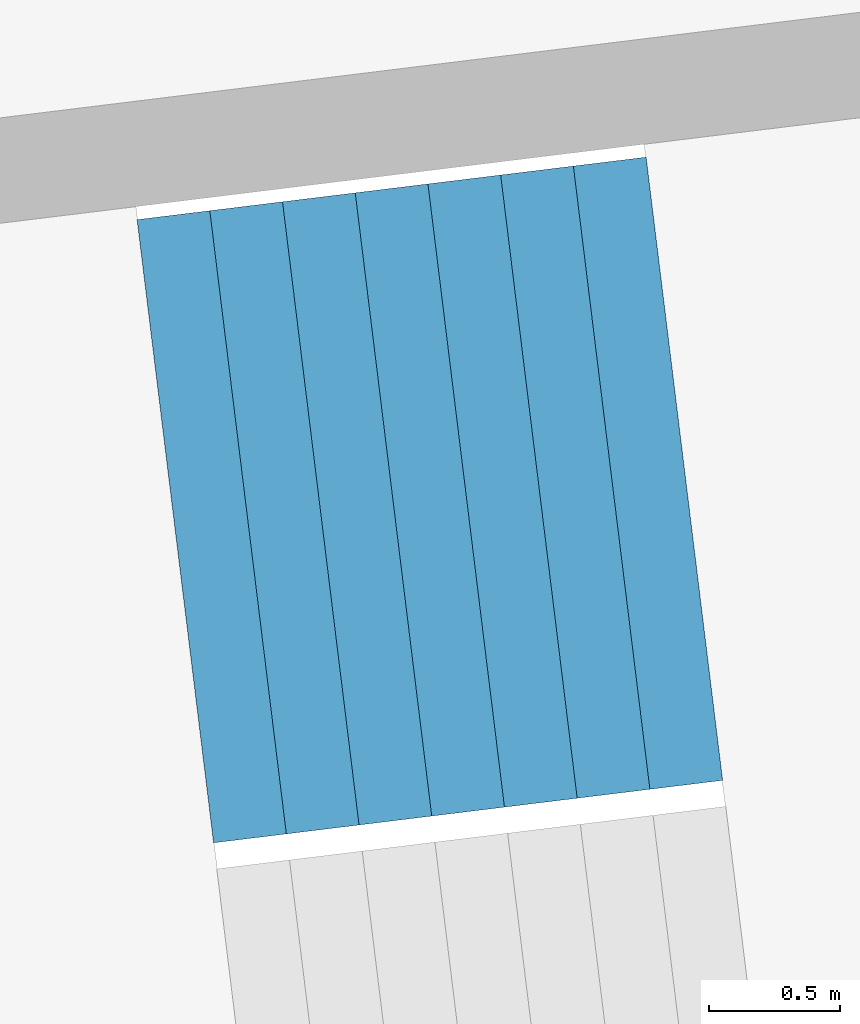
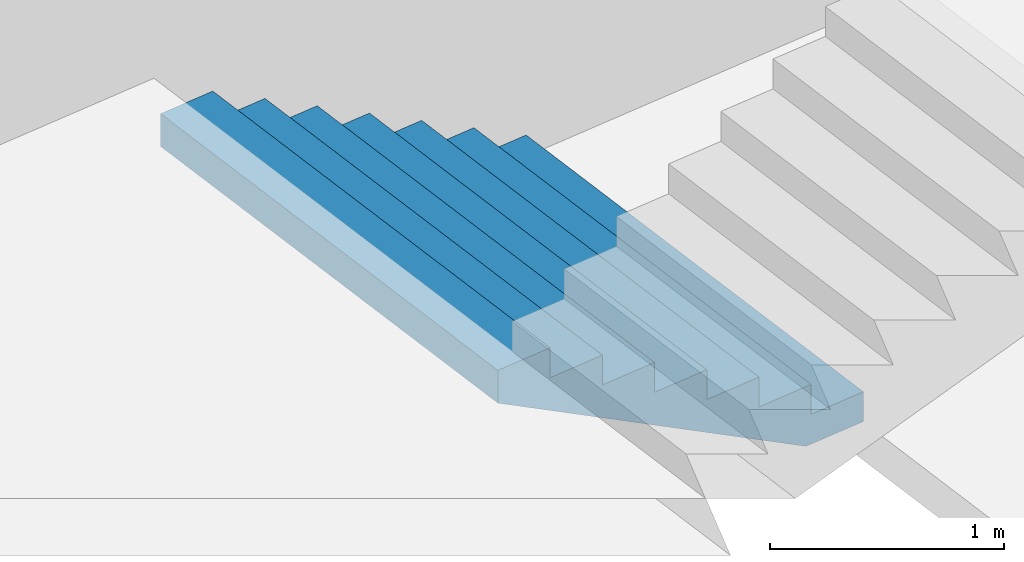
# One storey, part 25 of 73: 1 stair flight, 1 element without a shape of its own.
"""IFC4 building model written with IfcOpenShell, lengths in metres."""

import ifcopenshell
import ifcopenshell.guid

model = None  # the IFC model being written
_history = None  # IfcOwnerHistory: only IFC2X3 demands one
_inside = {}  # id of a spatial element -> (the spatial element, [elements in it])
_under = {}  # id of a project, library or spatial element -> (it, [spatial elements below it])
_declared = {}  # id of a project -> (the project, [libraries it declares])
_typed = {}  # id of a type object -> (the type object, [elements of that type])
_made_of = {}  # id of a material, layer set ... -> (it, [elements and type objects made of it])


def new_model(schema):
    """Start an empty IFC model of exactly this schema.

    Asked for "IFC4X3", IfcOpenShell would pick the latest addendum, in which some entities
    have other attributes; the version numbers below select the first issue.
    IFC2X3 requires an IfcOwnerHistory on every rooted entity: one is made here for all.
    """
    global model, _history
    if schema == "IFC4X3":
        model = ifcopenshell.file(schema_version=(4, 3, 0, 0))
    else:
        model = ifcopenshell.file(schema=schema)
    _inside.clear()
    _under.clear()
    _declared.clear()
    _typed.clear()
    _made_of.clear()
    _history = None
    if model.schema == "IFC2X3":
        org = make("IfcOrganization", Name="unknown")
        user = make(
            "IfcPersonAndOrganization",
            ThePerson=make("IfcPerson", FamilyName="unknown"),
            TheOrganization=org,
        )
        app = make(
            "IfcApplication",
            ApplicationDeveloper=org,
            Version="unknown",
            ApplicationFullName="unknown",
            ApplicationIdentifier="unknown",
        )
        _history = make(
            "IfcOwnerHistory",
            OwningUser=user,
            OwningApplication=app,
            ChangeAction="ADDED",
            CreationDate=0,
        )
    return model


def make(cls, **values):
    """One entity of the class cls with the attributes given. An attribute that is None is left unset."""
    return model.create_entity(
        cls, **{name: value for name, value in values.items() if value is not None}
    )


def rooted(cls, **values):
    """An entity with a GlobalId (a new one), such as an element, a storey or a relation."""
    return make(cls, GlobalId=ifcopenshell.guid.new(), OwnerHistory=_history, **values)


def si_unit(unit_type, name, prefix=None):
    """IfcSIUnit, for example si_unit("LENGTHUNIT", "METRE", prefix="MILLI")."""
    return make("IfcSIUnit", UnitType=unit_type, Prefix=prefix, Name=name)


def assignment(units):
    """IfcUnitAssignment: the units of a project."""
    return None if units is None else make("IfcUnitAssignment", Units=units)


def point(xyz):
    """IfcCartesianPoint."""
    return None if xyz is None else make("IfcCartesianPoint", Coordinates=xyz)


def direction(xyz):
    """IfcDirection."""
    return None if xyz is None else make("IfcDirection", DirectionRatios=xyz)


def frame(location, z_axis=None, x_axis=None):
    """IfcAxis2Placement3D, a coordinate frame: its origin and axes. An axis left out is left unset."""
    return make(
        "IfcAxis2Placement3D",
        Location=point(location),
        Axis=direction(z_axis),
        RefDirection=direction(x_axis),
    )


def origin():
    """The frame at (0, 0, 0) with its axes left unset."""
    return frame((0.0, 0.0, 0.0))


def place(relative_to, where):
    """IfcLocalPlacement: puts the frame where relative to a parent placement (None: the world)."""
    return make(
        "IfcLocalPlacement", PlacementRelTo=relative_to, RelativePlacement=where
    )


def context(
    kind, dimensions, precision=None, world=None, true_north=None, identifier=None
):
    """IfcGeometricRepresentationContext, for example the 3D "Model" context."""
    return make(
        "IfcGeometricRepresentationContext",
        ContextIdentifier=identifier,
        ContextType=kind,
        CoordinateSpaceDimension=dimensions,
        Precision=precision,
        WorldCoordinateSystem=world,
        TrueNorth=true_north,
    )


def subcontext(parent, identifier, kind, view, scale=None):
    """IfcGeometricRepresentationSubContext, for example "Body" below "Model"."""
    return make(
        "IfcGeometricRepresentationSubContext",
        ContextIdentifier=identifier,
        ContextType=kind,
        ParentContext=parent,
        TargetScale=scale,
        TargetView=view,
    )


def project(units=None, contexts=None):
    """IfcProject with its units and contexts."""
    return rooted(
        "IfcProject",
        Name="project",
        RepresentationContexts=contexts,
        UnitsInContext=assignment(units),
    )


def spatial(cls, under=None, at=None, **own):
    """A site, building, storey or space (cls), placed at a placement, below another one or the project."""
    s = rooted(cls, ObjectPlacement=at, **own)
    if under is not None:
        _under.setdefault(under.id(), (under, []))[1].append(s)
    return s


def point_list(points):
    """IfcCartesianPointList2D or 3D."""
    cls = (
        "IfcCartesianPointList2D" if len(points[0]) == 2 else "IfcCartesianPointList3D"
    )
    return make(cls, CoordList=points)


def triangles(points, corners, closed=None, point_numbers=None):
    """IfcTriangulatedFaceSet: each triangle names its three corners, points numbered from 1."""
    return make(
        "IfcTriangulatedFaceSet",
        Coordinates=point_list(points),
        Closed=closed,
        CoordIndex=corners,
        PnIndex=point_numbers,
    )


def shape(context_of_items, identifier, shape_type, items):
    """IfcShapeRepresentation: the items that make up one representation, for example the "Body"."""
    return make(
        "IfcShapeRepresentation",
        ContextOfItems=context_of_items,
        RepresentationIdentifier=identifier,
        RepresentationType=shape_type,
        Items=items,
    )


def material(Name=None, Category=None):
    """IfcMaterial."""
    return make("IfcMaterial", Name=Name, Category=Category)


def made_of(thing, what):
    """Note that an element or type object is made of a material, layer set ...; save() writes the relation."""
    if what is not None:
        _made_of.setdefault(what.id(), (what, []))[1].append(thing)
    return thing


def type_object(cls, material=None, **own):
    """A type object (cls), such as IfcWallType, which elements share."""
    return made_of(rooted(cls, **own), material)


def element(
    cls,
    number,
    at=None,
    inside=None,
    cuts=None,
    type_object=None,
    material=None,
    context=None,
    identifier="Body",
    shape_type=None,
    held_by="IfcProductDefinitionShape",
    body=None,
    shapes=None,
    **own,
):
    """One element of the class cls, such as IfcWall. Its Tag is "e" and its number.

    at: its placement. inside: the storey or other place that contains it. cuts: it is an
    opening in that element (IfcRelVoidsElement). A single representation is given by context,
    identifier, shape_type and body (its items); several are given by shapes. held_by: the class
    of the entity that holds the representations. save() writes the other relations.
    """
    e = rooted(cls, Tag="e%d" % number, ObjectPlacement=at, **own)
    if body is not None:
        shapes = [shape(context, identifier, shape_type, body)]
    if shapes is not None:
        e.Representation = make(held_by, Representations=shapes)
    if inside is not None:
        _inside.setdefault(inside.id(), (inside, []))[1].append(e)
    if cuts is not None:
        rooted(
            "IfcRelVoidsElement", RelatingBuildingElement=cuts, RelatedOpeningElement=e
        )
    if type_object is not None:
        _typed.setdefault(type_object.id(), (type_object, []))[1].append(e)
    return made_of(e, material)


def aggregate(whole, parts):
    """IfcRelAggregates: a whole, such as a stair, and the parts it consists of."""
    return rooted("IfcRelAggregates", RelatingObject=whole, RelatedObjects=parts)


def save(model, path):
    """Write the relations noted so far, then the file.

    IfcRelAggregates (storeys below a building ...), IfcRelContainedInSpatialStructure (elements
    in a storey), IfcRelDefinesByType, IfcRelAssociatesMaterial and IfcRelDeclares: one each for
    every whole, place, type object, material and project.
    """
    for whole, parts in _under.values():
        aggregate(whole, parts)
    for where, things in _inside.values():
        rooted(
            "IfcRelContainedInSpatialStructure",
            RelatedElements=things,
            RelatingStructure=where,
        )
    for kind, things in _typed.values():
        rooted("IfcRelDefinesByType", RelatedObjects=things, RelatingType=kind)
    for what, things in _made_of.values():
        rooted("IfcRelAssociatesMaterial", RelatedObjects=things, RelatingMaterial=what)
    for by, libraries in _declared.values():
        rooted("IfcRelDeclares", RelatingContext=by, RelatedDefinitions=libraries)
    model.write(path)


model = new_model("IFC4")

# Units and contexts
model_context = context("Model", 3, precision=1e-05, world=origin(), true_north=direction((0.0, 1.0)))
body_context = subcontext(model_context, "Body", "Model", "MODEL_VIEW")
ifc_project = project(units=[si_unit("LENGTHUNIT", "METRE"), si_unit("AREAUNIT", "SQUARE_METRE"), si_unit("VOLUMEUNIT", "CUBIC_METRE"), si_unit("PLANEANGLEUNIT", "RADIAN"), si_unit("MASSUNIT", "GRAM", prefix="KILO")], contexts=[model_context])

# Site, building, storey
site_placement = place(None, origin())
site = spatial("IfcSite", under=ifc_project, at=site_placement, CompositionType="ELEMENT")
building_placement = place(site_placement, origin())
building = spatial("IfcBuilding", under=site, at=building_placement, Name="Lantaw Convention Tower", CompositionType="ELEMENT")
storey_placement = place(building_placement, frame((0.0, 0.0, 27.0)))
storey = spatial("IfcBuildingStorey", under=building, at=storey_placement, Name="L04", CompositionType="ELEMENT", Elevation=27.0)

# Stair, stair flight
ifc_material = material(Name="Concrete C35/45", Category="concrete")
stair_type = type_object("IfcStairType", Name="Exit stair 2400 riser 156.25 in 4 flights", PredefinedType="HALF_TURN_STAIR", material=ifc_material)
stair_placement = place(storey_placement, origin())
stair = element("IfcStair", 1, at=stair_placement, inside=storey, type_object=stair_type, Name="Podium exit stair P10 L04", PredefinedType="HALF_TURN_STAIR")
stair_flight_type = type_object("IfcStairFlightType", Name="Stair flight 2400 riser 156.25", PredefinedType="STRAIGHT", material=ifc_material)
stair_flight_placement = place(storey_placement, frame((-35.162109375, -3.057861328125, 0.0), z_axis=(0.0, 0.0, 1.0), x_axis=(-0.992546151641, -0.121869343405, 0.0)))
stair_flight = element("IfcStairFlight", 2, at=stair_flight_placement, type_object=stair_flight_type, Name="P10 flight 1", NumberOfRisers=8, NumberOfTreads=7, PredefinedType="STRAIGHT", RiserHeight=0.15625, TreadLength=0.28, context=body_context, shape_type="Tessellation", body=[
    triangles([(0.0, 1.199951171875, 0.0), (0.0, 1.199951171875, 0.15625), (0.28, 1.199951171875, 0.0), (0.28, 1.199951171875, 0.15625), (0.28, 1.199951171875, 0.3125), (0.3076200632058044, 1.199951171875, 0.0), (0.3076200632058044, 1.199951171875, 0.3125), (0.56, 1.199951171875, 0.14083701830033238), (0.56, 1.199951171875, 0.3125), (0.56, 1.199951171875, 0.46875), (0.8400000000000001, 1.199951171875, 0.29708701830033235), (0.8400000000000001, 1.199951171875, 0.46875), (0.8400000000000001, 1.199951171875, 0.625), (1.12, 1.199951171875, 0.45333701830033235), (1.12, 1.199951171875, 0.625), (1.12, 1.199951171875, 0.78125), (1.4000000000000001, 1.199951171875, 0.6095870183003324), (1.4000000000000001, 1.199951171875, 0.78125), (1.4000000000000001, 1.199951171875, 0.9375), (1.6800000000000002, 1.199951171875, 0.7658370183003324), (1.6800000000000002, 1.199951171875, 0.9375), (1.6800000000000002, 1.199951171875, 1.09375), (1.9600000000000002, 1.199951171875, 0.9220870183003324), (1.9600000000000002, 1.199951171875, 1.09375), (0.0, -1.199951171875, 0.0), (0.0, -1.199951171875, 0.15625), (0.28, -1.199951171875, 0.0), (0.28, -1.199951171875, 0.15625), (0.28, -1.199951171875, 0.3125), (0.3076200632058044, -1.199951171875, 0.0), (0.3076200632058044, -1.199951171875, 0.3125), (0.56, -1.199951171875, 0.14083701830033238), (0.56, -1.199951171875, 0.3125), (0.56, -1.199951171875, 0.46875), (0.8400000000000001, -1.199951171875, 0.29708701830033235), (0.8400000000000001, -1.199951171875, 0.46875), (0.8400000000000001, -1.199951171875, 0.625), (1.12, -1.199951171875, 0.45333701830033235), (1.12, -1.199951171875, 0.625), (1.12, -1.199951171875, 0.78125), (1.4000000000000001, -1.199951171875, 0.6095870183003324), (1.4000000000000001, -1.199951171875, 0.78125), (1.4000000000000001, -1.199951171875, 0.9375), (1.6800000000000002, -1.199951171875, 0.7658370183003324), (1.6800000000000002, -1.199951171875, 0.9375), (1.6800000000000002, -1.199951171875, 1.09375), (1.9600000000000002, -1.199951171875, 0.9220870183003324), (1.9600000000000002, -1.199951171875, 1.09375), (0.0, 0.239990234375, 0.15625), (0.0, 0.239990234375, 0.0), (0.0, 0.1919921875, 0.15625), (0.0, 0.1919921875, 0.0), (0.0, 0.143994140625, 0.15625), (0.0, 0.143994140625, 0.0), (0.0, 0.09599609375, 0.15625), (0.0, 0.09599609375, 0.0), (0.0, 0.047998046875, 0.15625), (0.0, 0.047998046875, 0.0), (0.0, 0.0, 0.15625), (0.0, 0.0, 0.0), (0.0, -0.047998046875, 0.15625), (0.0, -0.047998046875, 0.0), (0.0, -0.09599609375, 0.15625), (0.0, -0.09599609375, 0.0), (0.0, -0.143994140625, 0.15625), (0.0, -0.143994140625, 0.0), (0.0, -0.1919921875, 0.15625), (0.0, -0.1919921875, 0.0), (0.0, -0.239990234375, 0.15625), (0.0, -0.239990234375, 0.0), (0.28, 0.239990234375, 0.3125), (0.28, 0.239990234375, 0.15625), (0.28, 0.1919921875, 0.3125), (0.28, 0.1919921875, 0.15625), (0.28, 0.143994140625, 0.3125), (0.28, 0.143994140625, 0.15625), (0.28, 0.09599609375, 0.3125), (0.28, 0.09599609375, 0.15625), (0.28, 0.047998046875, 0.3125), (0.28, 0.047998046875, 0.15625), (0.28, 0.0, 0.3125), (0.28, 0.0, 0.15625), (0.28, -0.047998046875, 0.3125), (0.28, -0.047998046875, 0.15625), (0.28, -0.09599609375, 0.3125), (0.28, -0.09599609375, 0.15625), (0.28, -0.143994140625, 0.3125), (0.28, -0.143994140625, 0.15625), (0.28, -0.1919921875, 0.3125), (0.28, -0.1919921875, 0.15625), (0.28, -0.239990234375, 0.3125), (0.28, -0.239990234375, 0.15625), (0.56, 0.239990234375, 0.46875), (0.56, 0.239990234375, 0.3125), (0.56, 0.1919921875, 0.46875), (0.56, 0.1919921875, 0.3125), (0.56, 0.143994140625, 0.46875), (0.56, 0.143994140625, 0.3125), (0.56, 0.09599609375, 0.46875), (0.56, 0.09599609375, 0.3125), (0.56, 0.047998046875, 0.46875), (0.56, 0.047998046875, 0.3125), (0.56, 0.0, 0.46875), (0.56, 0.0, 0.3125), (0.56, -0.047998046875, 0.46875), (0.56, -0.047998046875, 0.3125), (0.56, -0.09599609375, 0.46875), (0.56, -0.09599609375, 0.3125), (0.56, -0.143994140625, 0.46875), (0.56, -0.143994140625, 0.3125), (0.56, -0.1919921875, 0.46875), (0.56, -0.1919921875, 0.3125), (0.56, -0.239990234375, 0.46875), (0.56, -0.239990234375, 0.3125), (0.8400000000000001, 0.239990234375, 0.625), (0.8400000000000001, 0.239990234375, 0.46875), (0.8400000000000001, 0.1919921875, 0.625), (0.8400000000000001, 0.1919921875, 0.46875), (0.8400000000000001, 0.143994140625, 0.625), (0.8400000000000001, 0.143994140625, 0.46875), (0.8400000000000001, 0.09599609375, 0.625), (0.8400000000000001, 0.09599609375, 0.46875), (0.8400000000000001, 0.047998046875, 0.625), (0.8400000000000001, 0.047998046875, 0.46875), (0.8400000000000001, 0.0, 0.625), (0.8400000000000001, 0.0, 0.46875), (0.8400000000000001, -0.047998046875, 0.625), (0.8400000000000001, -0.047998046875, 0.46875), (0.8400000000000001, -0.09599609375, 0.625), (0.8400000000000001, -0.09599609375, 0.46875), (0.8400000000000001, -0.143994140625, 0.625), (0.8400000000000001, -0.143994140625, 0.46875), (0.8400000000000001, -0.1919921875, 0.625), (0.8400000000000001, -0.1919921875, 0.46875), (0.8400000000000001, -0.239990234375, 0.625), (0.8400000000000001, -0.239990234375, 0.46875), (1.12, 0.239990234375, 0.78125), (1.12, 0.239990234375, 0.625), (1.12, 0.1919921875, 0.78125), (1.12, 0.1919921875, 0.625), (1.12, 0.143994140625, 0.78125), (1.12, 0.143994140625, 0.625), (1.12, 0.09599609375, 0.78125), (1.12, 0.09599609375, 0.625), (1.12, 0.047998046875, 0.78125), (1.12, 0.047998046875, 0.625), (1.12, 0.0, 0.78125), (1.12, 0.0, 0.625), (1.12, -0.047998046875, 0.78125), (1.12, -0.047998046875, 0.625), (1.12, -0.09599609375, 0.78125), (1.12, -0.09599609375, 0.625), (1.12, -0.143994140625, 0.78125), (1.12, -0.143994140625, 0.625), (1.12, -0.1919921875, 0.78125), (1.12, -0.1919921875, 0.625), (1.12, -0.239990234375, 0.78125), (1.12, -0.239990234375, 0.625), (1.4000000000000001, 0.239990234375, 0.9375), (1.4000000000000001, 0.239990234375, 0.78125), (1.4000000000000001, 0.1919921875, 0.9375), (1.4000000000000001, 0.1919921875, 0.78125), (1.4000000000000001, 0.143994140625, 0.9375), (1.4000000000000001, 0.143994140625, 0.78125), (1.4000000000000001, 0.09599609375, 0.9375), (1.4000000000000001, 0.09599609375, 0.78125), (1.4000000000000001, 0.047998046875, 0.9375), (1.4000000000000001, 0.047998046875, 0.78125), (1.4000000000000001, 0.0, 0.9375), (1.4000000000000001, 0.0, 0.78125), (1.4000000000000001, -0.047998046875, 0.9375), (1.4000000000000001, -0.047998046875, 0.78125), (1.4000000000000001, -0.09599609375, 0.9375), (1.4000000000000001, -0.09599609375, 0.78125), (1.4000000000000001, -0.143994140625, 0.9375), (1.4000000000000001, -0.143994140625, 0.78125), (1.4000000000000001, -0.1919921875, 0.9375), (1.4000000000000001, -0.1919921875, 0.78125), (1.4000000000000001, -0.239990234375, 0.9375), (1.4000000000000001, -0.239990234375, 0.78125), (1.6800000000000002, 0.239990234375, 1.09375), (1.6800000000000002, 0.239990234375, 0.9375), (1.6800000000000002, 0.1919921875, 1.09375), (1.6800000000000002, 0.1919921875, 0.9375), (1.6800000000000002, 0.143994140625, 1.09375), (1.6800000000000002, 0.143994140625, 0.9375), (1.6800000000000002, 0.09599609375, 1.09375), (1.6800000000000002, 0.09599609375, 0.9375), (1.6800000000000002, 0.047998046875, 1.09375), (1.6800000000000002, 0.047998046875, 0.9375), (1.6800000000000002, 0.0, 1.09375), (1.6800000000000002, 0.0, 0.9375), (1.6800000000000002, -0.047998046875, 1.09375), (1.6800000000000002, -0.047998046875, 0.9375), (1.6800000000000002, -0.09599609375, 1.09375), (1.6800000000000002, -0.09599609375, 0.9375), (1.6800000000000002, -0.143994140625, 1.09375), (1.6800000000000002, -0.143994140625, 0.9375), (1.6800000000000002, -0.1919921875, 1.09375), (1.6800000000000002, -0.1919921875, 0.9375), (1.6800000000000002, -0.239990234375, 1.09375), (1.6800000000000002, -0.239990234375, 0.9375), (0.3076200632058044, 0.239990234375, 0.3125), (0.3076200632058044, 0.1919921875, 0.3125), (0.3076200632058044, 0.143994140625, 0.3125), (0.3076200632058044, 0.09599609375, 0.3125), (0.3076200632058044, 0.047998046875, 0.3125), (0.3076200632058044, 0.0, 0.3125), (0.3076200632058044, -0.047998046875, 0.3125), (0.3076200632058044, -0.09599609375, 0.3125), (0.3076200632058044, -0.143994140625, 0.3125), (0.3076200632058044, -0.1919921875, 0.3125), (0.3076200632058044, -0.239990234375, 0.3125), (1.9600000000000002, 0.239990234375, 1.09375), (1.9600000000000002, 0.1919921875, 1.09375), (1.9600000000000002, 0.143994140625, 1.09375), (1.9600000000000002, 0.09599609375, 1.09375), (1.9600000000000002, 0.047998046875, 1.09375), (1.9600000000000002, 0.0, 1.09375), (1.9600000000000002, -0.047998046875, 1.09375), (1.9600000000000002, -0.09599609375, 1.09375), (1.9600000000000002, -0.143994140625, 1.09375), (1.9600000000000002, -0.1919921875, 1.09375), (1.9600000000000002, -0.239990234375, 1.09375), (1.9600000000000002, 0.239990234375, 0.9220870183003324), (1.9600000000000002, 0.1919921875, 0.9220870183003324), (1.9600000000000002, 0.143994140625, 0.9220870183003324), (1.9600000000000002, 0.09599609375, 0.9220870183003324), (1.9600000000000002, 0.047998046875, 0.9220870183003324), (1.9600000000000002, 0.0, 0.9220870183003324), (1.9600000000000002, -0.047998046875, 0.9220870183003324), (1.9600000000000002, -0.09599609375, 0.9220870183003324), (1.9600000000000002, -0.143994140625, 0.9220870183003324), (1.9600000000000002, -0.1919921875, 0.9220870183003324), (1.9600000000000002, -0.239990234375, 0.9220870183003324), (1.6800000000000002, 0.239990234375, 0.7658370183003324), (1.6800000000000002, 0.1919921875, 0.7658370183003324), (1.6800000000000002, 0.143994140625, 0.7658370183003324), (1.6800000000000002, 0.09599609375, 0.7658370183003324), (1.6800000000000002, 0.047998046875, 0.7658370183003324), (1.6800000000000002, 0.0, 0.7658370183003324), (1.6800000000000002, -0.047998046875, 0.7658370183003324), (1.6800000000000002, -0.09599609375, 0.7658370183003324), (1.6800000000000002, -0.143994140625, 0.7658370183003324), (1.6800000000000002, -0.1919921875, 0.7658370183003324), (1.6800000000000002, -0.239990234375, 0.7658370183003324), (1.4000000000000001, 0.239990234375, 0.6095870183003324), (1.4000000000000001, 0.1919921875, 0.6095870183003324), (1.4000000000000001, 0.143994140625, 0.6095870183003324), (1.4000000000000001, 0.09599609375, 0.6095870183003324), (1.4000000000000001, 0.047998046875, 0.6095870183003324), (1.4000000000000001, 0.0, 0.6095870183003324), (1.4000000000000001, -0.047998046875, 0.6095870183003324), (1.4000000000000001, -0.09599609375, 0.6095870183003324), (1.4000000000000001, -0.143994140625, 0.6095870183003324), (1.4000000000000001, -0.1919921875, 0.6095870183003324), (1.4000000000000001, -0.239990234375, 0.6095870183003324), (1.12, 0.239990234375, 0.45333701830033235), (1.12, 0.1919921875, 0.45333701830033235), (1.12, 0.143994140625, 0.45333701830033235), (1.12, 0.09599609375, 0.45333701830033235), (1.12, 0.047998046875, 0.45333701830033235), (1.12, 0.0, 0.45333701830033235), (1.12, -0.047998046875, 0.45333701830033235), (1.12, -0.09599609375, 0.45333701830033235), (1.12, -0.143994140625, 0.45333701830033235), (1.12, -0.1919921875, 0.45333701830033235), (1.12, -0.239990234375, 0.45333701830033235), (0.8400000000000001, 0.239990234375, 0.29708701830033235), (0.8400000000000001, 0.1919921875, 0.29708701830033235), (0.8400000000000001, 0.143994140625, 0.29708701830033235), (0.8400000000000001, 0.09599609375, 0.29708701830033235), (0.8400000000000001, 0.047998046875, 0.29708701830033235), (0.8400000000000001, 0.0, 0.29708701830033235), (0.8400000000000001, -0.047998046875, 0.29708701830033235), (0.8400000000000001, -0.09599609375, 0.29708701830033235), (0.8400000000000001, -0.143994140625, 0.29708701830033235), (0.8400000000000001, -0.1919921875, 0.29708701830033235), (0.8400000000000001, -0.239990234375, 0.29708701830033235), (0.56, 0.239990234375, 0.14083701830033238), (0.56, 0.1919921875, 0.14083701830033238), (0.56, 0.143994140625, 0.14083701830033238), (0.56, 0.09599609375, 0.14083701830033238), (0.56, 0.047998046875, 0.14083701830033238), (0.56, 0.0, 0.14083701830033238), (0.56, -0.047998046875, 0.14083701830033238), (0.56, -0.09599609375, 0.14083701830033238), (0.56, -0.143994140625, 0.14083701830033238), (0.56, -0.1919921875, 0.14083701830033238), (0.56, -0.239990234375, 0.14083701830033238), (0.3076200632058044, 0.239990234375, 0.0), (0.3076200632058044, 0.1919921875, 0.0), (0.3076200632058044, 0.143994140625, 0.0), (0.3076200632058044, 0.09599609375, 0.0), (0.3076200632058044, 0.047998046875, 0.0), (0.3076200632058044, 0.0, 0.0), (0.3076200632058044, -0.047998046875, 0.0), (0.3076200632058044, -0.09599609375, 0.0), (0.3076200632058044, -0.143994140625, 0.0), (0.3076200632058044, -0.1919921875, 0.0), (0.3076200632058044, -0.239990234375, 0.0), (0.28, 0.239990234375, 0.0), (0.28, 0.1919921875, 0.0), (0.28, 0.143994140625, 0.0), (0.28, 0.09599609375, 0.0), (0.28, 0.047998046875, 0.0), (0.28, 0.0, 0.0), (0.28, -0.047998046875, 0.0), (0.28, -0.09599609375, 0.0), (0.28, -0.143994140625, 0.0), (0.28, -0.1919921875, 0.0), (0.28, -0.239990234375, 0.0)], [[1, 4, 3], [1, 2, 4], [3, 4, 6], [4, 7, 6], [4, 5, 7], [6, 9, 8], [6, 7, 9], [8, 9, 11], [9, 12, 11], [9, 10, 12], [11, 12, 14], [12, 15, 14], [12, 13, 15], [14, 15, 17], [15, 18, 17], [15, 16, 18], [17, 18, 20], [18, 21, 20], [18, 19, 21], [20, 21, 23], [21, 24, 23], [21, 22, 24], [25, 27, 28], [25, 28, 26], [27, 30, 28], [28, 30, 31], [28, 31, 29], [30, 32, 33], [30, 33, 31], [32, 35, 33], [33, 35, 36], [33, 36, 34], [35, 38, 36], [36, 38, 39], [36, 39, 37], [38, 41, 39], [39, 41, 42], [39, 42, 40], [41, 44, 42], [42, 44, 45], [42, 45, 43], [44, 47, 45], [45, 47, 48], [45, 48, 46], [1, 49, 2], [1, 50, 49], [50, 51, 49], [50, 52, 51], [52, 53, 51], [52, 54, 53], [54, 55, 53], [54, 56, 55], [56, 57, 55], [56, 58, 57], [58, 59, 57], [58, 60, 59], [60, 61, 59], [60, 62, 61], [62, 63, 61], [62, 64, 63], [64, 65, 63], [64, 66, 65], [66, 67, 65], [66, 68, 67], [68, 69, 67], [68, 70, 69], [70, 26, 69], [70, 25, 26], [4, 71, 5], [4, 72, 71], [72, 73, 71], [72, 74, 73], [74, 75, 73], [74, 76, 75], [76, 77, 75], [76, 78, 77], [78, 79, 77], [78, 80, 79], [80, 81, 79], [80, 82, 81], [82, 83, 81], [82, 84, 83], [84, 85, 83], [84, 86, 85], [86, 87, 85], [86, 88, 87], [88, 89, 87], [88, 90, 89], [90, 91, 89], [90, 92, 91], [92, 29, 91], [92, 28, 29], [9, 93, 10], [9, 94, 93], [94, 95, 93], [94, 96, 95], [96, 97, 95], [96, 98, 97], [98, 99, 97], [98, 100, 99], [100, 101, 99], [100, 102, 101], [102, 103, 101], [102, 104, 103], [104, 105, 103], [104, 106, 105], [106, 107, 105], [106, 108, 107], [108, 109, 107], [108, 110, 109], [110, 111, 109], [110, 112, 111], [112, 113, 111], [112, 114, 113], [114, 34, 113], [114, 33, 34], [12, 115, 13], [12, 116, 115], [116, 117, 115], [116, 118, 117], [118, 119, 117], [118, 120, 119], [120, 121, 119], [120, 122, 121], [122, 123, 121], [122, 124, 123], [124, 125, 123], [124, 126, 125], [126, 127, 125], [126, 128, 127], [128, 129, 127], [128, 130, 129], [130, 131, 129], [130, 132, 131], [132, 133, 131], [132, 134, 133], [134, 135, 133], [134, 136, 135], [136, 37, 135], [136, 36, 37], [15, 137, 16], [15, 138, 137], [138, 139, 137], [138, 140, 139], [140, 141, 139], [140, 142, 141], [142, 143, 141], [142, 144, 143], [144, 145, 143], [144, 146, 145], [146, 147, 145], [146, 148, 147], [148, 149, 147], [148, 150, 149], [150, 151, 149], [150, 152, 151], [152, 153, 151], [152, 154, 153], [154, 155, 153], [154, 156, 155], [156, 157, 155], [156, 158, 157], [158, 40, 157], [158, 39, 40], [18, 159, 19], [18, 160, 159], [160, 161, 159], [160, 162, 161], [162, 163, 161], [162, 164, 163], [164, 165, 163], [164, 166, 165], [166, 167, 165], [166, 168, 167], [168, 169, 167], [168, 170, 169], [170, 171, 169], [170, 172, 171], [172, 173, 171], [172, 174, 173], [174, 175, 173], [174, 176, 175], [176, 177, 175], [176, 178, 177], [178, 179, 177], [178, 180, 179], [180, 43, 179], [180, 42, 43], [21, 181, 22], [21, 182, 181], [182, 183, 181], [182, 184, 183], [184, 185, 183], [184, 186, 185], [186, 187, 185], [186, 188, 187], [188, 189, 187], [188, 190, 189], [190, 191, 189], [190, 192, 191], [192, 193, 191], [192, 194, 193], [194, 195, 193], [194, 196, 195], [196, 197, 195], [196, 198, 197], [198, 199, 197], [198, 200, 199], [200, 201, 199], [200, 202, 201], [202, 46, 201], [202, 45, 46], [2, 72, 4], [2, 49, 72], [49, 74, 72], [49, 51, 74], [51, 76, 74], [51, 53, 76], [53, 78, 76], [53, 55, 78], [55, 80, 78], [55, 57, 80], [57, 82, 80], [57, 59, 82], [59, 84, 82], [59, 61, 84], [61, 86, 84], [61, 63, 86], [63, 88, 86], [63, 65, 88], [65, 90, 88], [65, 67, 90], [67, 92, 90], [67, 69, 92], [69, 28, 92], [69, 26, 28], [5, 203, 7], [5, 71, 203], [71, 204, 203], [71, 73, 204], [73, 205, 204], [73, 75, 205], [75, 206, 205], [75, 77, 206], [77, 207, 206], [77, 79, 207], [79, 208, 207], [79, 81, 208], [81, 209, 208], [81, 83, 209], [83, 210, 209], [83, 85, 210], [85, 211, 210], [85, 87, 211], [87, 212, 211], [87, 89, 212], [89, 213, 212], [89, 91, 213], [91, 31, 213], [91, 29, 31], [7, 94, 9], [7, 203, 94], [203, 96, 94], [203, 204, 96], [204, 98, 96], [204, 205, 98], [205, 100, 98], [205, 206, 100], [206, 102, 100], [206, 207, 102], [207, 104, 102], [207, 208, 104], [208, 106, 104], [208, 209, 106], [209, 108, 106], [209, 210, 108], [210, 110, 108], [210, 211, 110], [211, 112, 110], [211, 212, 112], [212, 114, 112], [212, 213, 114], [213, 33, 114], [213, 31, 33], [10, 116, 12], [10, 93, 116], [93, 118, 116], [93, 95, 118], [95, 120, 118], [95, 97, 120], [97, 122, 120], [97, 99, 122], [99, 124, 122], [99, 101, 124], [101, 126, 124], [101, 103, 126], [103, 128, 126], [103, 105, 128], [105, 130, 128], [105, 107, 130], [107, 132, 130], [107, 109, 132], [109, 134, 132], [109, 111, 134], [111, 136, 134], [111, 113, 136], [113, 36, 136], [113, 34, 36], [13, 138, 15], [13, 115, 138], [115, 140, 138], [115, 117, 140], [117, 142, 140], [117, 119, 142], [119, 144, 142], [119, 121, 144], [121, 146, 144], [121, 123, 146], [123, 148, 146], [123, 125, 148], [125, 150, 148], [125, 127, 150], [127, 152, 150], [127, 129, 152], [129, 154, 152], [129, 131, 154], [131, 156, 154], [131, 133, 156], [133, 158, 156], [133, 135, 158], [135, 39, 158], [135, 37, 39], [16, 160, 18], [16, 137, 160], [137, 162, 160], [137, 139, 162], [139, 164, 162], [139, 141, 164], [141, 166, 164], [141, 143, 166], [143, 168, 166], [143, 145, 168], [145, 170, 168], [145, 147, 170], [147, 172, 170], [147, 149, 172], [149, 174, 172], [149, 151, 174], [151, 176, 174], [151, 153, 176], [153, 178, 176], [153, 155, 178], [155, 180, 178], [155, 157, 180], [157, 42, 180], [157, 40, 42], [19, 182, 21], [19, 159, 182], [159, 184, 182], [159, 161, 184], [161, 186, 184], [161, 163, 186], [163, 188, 186], [163, 165, 188], [165, 190, 188], [165, 167, 190], [167, 192, 190], [167, 169, 192], [169, 194, 192], [169, 171, 194], [171, 196, 194], [171, 173, 196], [173, 198, 196], [173, 175, 198], [175, 200, 198], [175, 177, 200], [177, 202, 200], [177, 179, 202], [179, 45, 202], [179, 43, 45], [22, 214, 24], [22, 181, 214], [181, 215, 214], [181, 183, 215], [183, 216, 215], [183, 185, 216], [185, 217, 216], [185, 187, 217], [187, 218, 217], [187, 189, 218], [189, 219, 218], [189, 191, 219], [191, 220, 219], [191, 193, 220], [193, 221, 220], [193, 195, 221], [195, 222, 221], [195, 197, 222], [197, 223, 222], [197, 199, 223], [199, 224, 223], [199, 201, 224], [201, 48, 224], [201, 46, 48], [24, 225, 23], [24, 214, 225], [214, 226, 225], [214, 215, 226], [215, 227, 226], [215, 216, 227], [216, 228, 227], [216, 217, 228], [217, 229, 228], [217, 218, 229], [218, 230, 229], [218, 219, 230], [219, 231, 230], [219, 220, 231], [220, 232, 231], [220, 221, 232], [221, 233, 232], [221, 222, 233], [222, 234, 233], [222, 223, 234], [223, 235, 234], [223, 224, 235], [224, 47, 235], [224, 48, 47], [23, 236, 20], [23, 225, 236], [225, 237, 236], [225, 226, 237], [226, 238, 237], [226, 227, 238], [227, 239, 238], [227, 228, 239], [228, 240, 239], [228, 229, 240], [229, 241, 240], [229, 230, 241], [230, 242, 241], [230, 231, 242], [231, 243, 242], [231, 232, 243], [232, 244, 243], [232, 233, 244], [233, 245, 244], [233, 234, 245], [234, 246, 245], [234, 235, 246], [235, 44, 246], [235, 47, 44], [20, 247, 17], [20, 236, 247], [236, 248, 247], [236, 237, 248], [237, 249, 248], [237, 238, 249], [238, 250, 249], [238, 239, 250], [239, 251, 250], [239, 240, 251], [240, 252, 251], [240, 241, 252], [241, 253, 252], [241, 242, 253], [242, 254, 253], [242, 243, 254], [243, 255, 254], [243, 244, 255], [244, 256, 255], [244, 245, 256], [245, 257, 256], [245, 246, 257], [246, 41, 257], [246, 44, 41], [17, 258, 14], [17, 247, 258], [247, 259, 258], [247, 248, 259], [248, 260, 259], [248, 249, 260], [249, 261, 260], [249, 250, 261], [250, 262, 261], [250, 251, 262], [251, 263, 262], [251, 252, 263], [252, 264, 263], [252, 253, 264], [253, 265, 264], [253, 254, 265], [254, 266, 265], [254, 255, 266], [255, 267, 266], [255, 256, 267], [256, 268, 267], [256, 257, 268], [257, 38, 268], [257, 41, 38], [14, 269, 11], [14, 258, 269], [258, 270, 269], [258, 259, 270], [259, 271, 270], [259, 260, 271], [260, 272, 271], [260, 261, 272], [261, 273, 272], [261, 262, 273], [262, 274, 273], [262, 263, 274], [263, 275, 274], [263, 264, 275], [264, 276, 275], [264, 265, 276], [265, 277, 276], [265, 266, 277], [266, 278, 277], [266, 267, 278], [267, 279, 278], [267, 268, 279], [268, 35, 279], [268, 38, 35], [11, 280, 8], [11, 269, 280], [269, 281, 280], [269, 270, 281], [270, 282, 281], [270, 271, 282], [271, 283, 282], [271, 272, 283], [272, 284, 283], [272, 273, 284], [273, 285, 284], [273, 274, 285], [274, 286, 285], [274, 275, 286], [275, 287, 286], [275, 276, 287], [276, 288, 287], [276, 277, 288], [277, 289, 288], [277, 278, 289], [278, 290, 289], [278, 279, 290], [279, 32, 290], [279, 35, 32], [8, 291, 6], [8, 280, 291], [280, 292, 291], [280, 281, 292], [281, 293, 292], [281, 282, 293], [282, 294, 293], [282, 283, 294], [283, 295, 294], [283, 284, 295], [284, 296, 295], [284, 285, 296], [285, 297, 296], [285, 286, 297], [286, 298, 297], [286, 287, 298], [287, 299, 298], [287, 288, 299], [288, 300, 299], [288, 289, 300], [289, 301, 300], [289, 290, 301], [290, 30, 301], [290, 32, 30], [6, 302, 3], [6, 291, 302], [291, 303, 302], [291, 292, 303], [292, 304, 303], [292, 293, 304], [293, 305, 304], [293, 294, 305], [294, 306, 305], [294, 295, 306], [295, 307, 306], [295, 296, 307], [296, 308, 307], [296, 297, 308], [297, 309, 308], [297, 298, 309], [298, 310, 309], [298, 299, 310], [299, 311, 310], [299, 300, 311], [300, 312, 311], [300, 301, 312], [301, 27, 312], [301, 30, 27], [3, 50, 1], [3, 302, 50], [302, 52, 50], [302, 303, 52], [303, 54, 52], [303, 304, 54], [304, 56, 54], [304, 305, 56], [305, 58, 56], [305, 306, 58], [306, 60, 58], [306, 307, 60], [307, 62, 60], [307, 308, 62], [308, 64, 62], [308, 309, 64], [309, 66, 64], [309, 310, 66], [310, 68, 66], [310, 311, 68], [311, 70, 68], [311, 312, 70], [312, 25, 70], [312, 27, 25]], closed=True),
])
aggregate(stair, [stair_flight])

save(model, "model.ifc")
